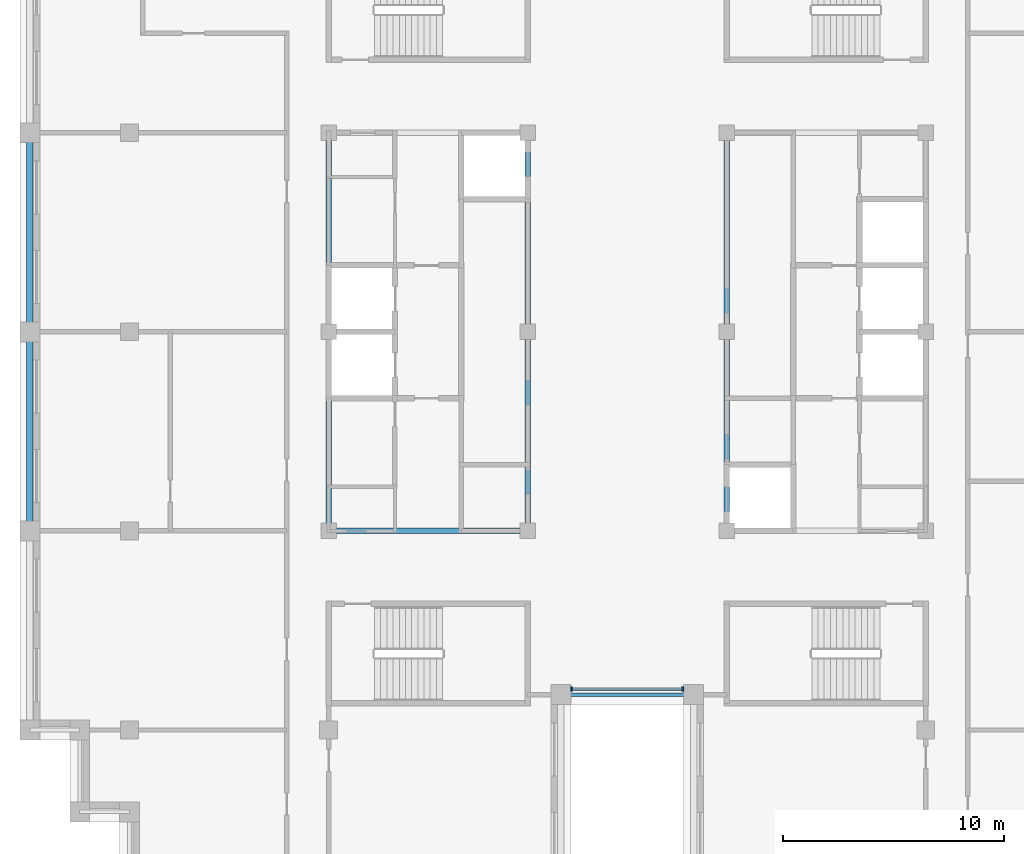
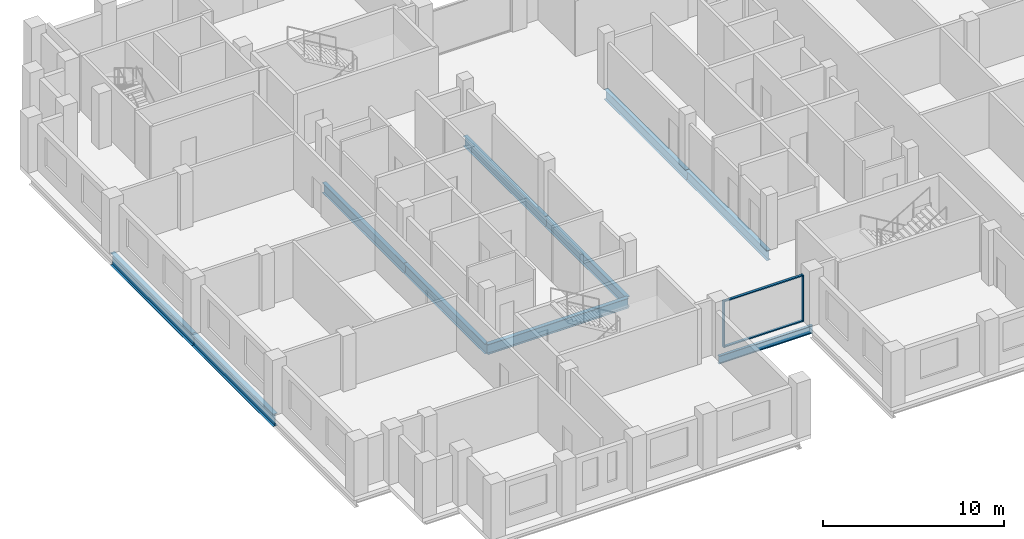
# One storey, part 2 of 13: 10 beams, 4 members, 1 element without a shape of its own.
"""IFC4 building model written with IfcOpenShell, lengths in metres."""

from ifc_helpers import new_model, si_unit, direction, frame, origin, origin_2d, place, context, subcontext, project, spatial, rectangle, i_section, extrude, material, layer, layer_set, material_profile, profile_set, type_object, element, aggregate, save


model = new_model("IFC4")

# Units and contexts
model_context = context("Model", 3, precision=1e-05, world=origin(), true_north=direction((0.0, 1.0)))
body_context = subcontext(model_context, "Body", "Model", "MODEL_VIEW")
ifc_project = project(units=[si_unit("LENGTHUNIT", "METRE"), si_unit("AREAUNIT", "SQUARE_METRE"), si_unit("VOLUMEUNIT", "CUBIC_METRE"), si_unit("PLANEANGLEUNIT", "RADIAN"), si_unit("MASSUNIT", "GRAM", prefix="KILO")], contexts=[model_context])

# Site, building, storey
site_placement = place(None, origin())
site = spatial("IfcSite", under=ifc_project, at=site_placement, CompositionType="ELEMENT")
building_placement = place(site_placement, origin())
building = spatial("IfcBuilding", under=site, at=building_placement, Name="Corbelhall Arena Tower", CompositionType="ELEMENT")
storey_placement = place(building_placement, frame((0.0, 0.0, 330.0)))
storey = spatial("IfcBuildingStorey", under=building, at=storey_placement, Name="L72", CompositionType="ELEMENT", Elevation=330.0)

# Curtain wall, members
ifc_material_1 = material(Name="Aluminium black anodised", Category="aluminium")
ifc_layer = layer(ifc_material_1, 0.199951171875)
ifc_layer_set = layer_set([ifc_layer], Name="EV-CW1 Slot back wall")
curtain_wall_type = type_object("IfcCurtainWallType", Name="EV-CW1 Slot back wall", PredefinedType="NOTDEFINED", material=ifc_layer_set)
curtain_wall_placement = place(storey_placement, origin())
curtain_wall = element("IfcCurtainWall", 1, at=curtain_wall_placement, inside=storey, type_object=curtain_wall_type, Name="Curtain wall CW1", PredefinedType="NOTDEFINED")
ifc_material_profile_1 = material_profile(ifc_material_1, rectangle(XDim=0.199951171875, YDim=0.074951171875, at=origin_2d()))
ifc_profile_set_1 = profile_set([ifc_material_profile_1], Name="Aluminium black anodised")
member_type_1 = type_object("IfcMemberType", Name="EV-CW1-MULLION", PredefinedType="MULLION", material=ifc_profile_set_1)
member_1_placement = place(storey_placement, frame((-2.512451171875, -16.14990234375, 0.0), z_axis=(0.0, 0.0, 1.0), x_axis=(0.0, 1.0, 0.0)))
member_1 = element("IfcMember", 2, at=member_1_placement, type_object=member_type_1, Name="CW1 mullion 1", PredefinedType="MULLION", context=body_context, shape_type="SweptSolid", body=[
    extrude(rectangle(XDim=0.199951171875, YDim=0.074951171875, at=origin_2d()), origin(), (0.0, 0.0, 1.0), 3.139892578125),
])
member_2_placement = place(storey_placement, frame((2.512451171875, -16.14990234375, 0.0), z_axis=(0.0, 0.0, 1.0), x_axis=(0.0, 1.0, 0.0)))
member_2 = element("IfcMember", 3, at=member_2_placement, type_object=member_type_1, Name="CW1 mullion 2", PredefinedType="MULLION", context=body_context, shape_type="SweptSolid", body=[
    extrude(rectangle(XDim=0.199951171875, YDim=0.074951171875, at=origin_2d()), origin(), (0.0, 0.0, 1.0), 3.139892578125),
])
ifc_material_profile_2 = material_profile(ifc_material_1, rectangle(XDim=0.14990234375, YDim=0.074951171875, at=origin_2d()))
ifc_profile_set_2 = profile_set([ifc_material_profile_2], Name="Aluminium black anodised")
member_type_2 = type_object("IfcMemberType", Name="EV-CW1-TRANSOM", PredefinedType="USERDEFINED", material=ifc_profile_set_2)
member_3_placement = place(storey_placement, frame((-2.47509765625, -16.14990234375, 0.03759765625), z_axis=(1.0, 0.0, 0.0), x_axis=(0.0, 1.0, 0.0)))
member_3 = element("IfcMember", 4, at=member_3_placement, type_object=member_type_2, Name="CW1 transom 1.1", ObjectType="transom", PredefinedType="USERDEFINED", context=body_context, shape_type="SweptSolid", body=[
    extrude(rectangle(XDim=0.14990234375, YDim=0.074951171875, at=origin_2d()), origin(), (0.0, 0.0, 1.0), 4.9501953125),
])
member_4_placement = place(storey_placement, frame((-2.47509765625, -16.14990234375, 3.1025390625), z_axis=(1.0, 0.0, 0.0), x_axis=(0.0, 1.0, 0.0)))
member_4 = element("IfcMember", 5, at=member_4_placement, type_object=member_type_2, Name="CW1 transom 1.2", ObjectType="transom", PredefinedType="USERDEFINED", context=body_context, shape_type="SweptSolid", body=[
    extrude(rectangle(XDim=0.14990234375, YDim=0.074951171875, at=origin_2d()), origin(), (0.0, 0.0, 1.0), 4.9501953125),
])
aggregate(curtain_wall, [member_1, member_2, member_3, member_4])

# Beams
ifc_material_2 = material(Name="Steel ASTM A992 Gr50", Category="steel")
ifc_material_profile_3 = material_profile(ifc_material_2, i_section(OverallWidth=0.25390625, OverallDepth=0.67822265625, WebThickness=0.01171875, FlangeThickness=0.016357421875, at=origin_2d()))
ifc_profile_set_3 = profile_set([ifc_material_profile_3], Name="Steel ASTM A992 Gr50")
beam_type_1 = type_object("IfcBeamType", Name="ST-BEAM-W27x84", PredefinedType="BEAM", material=ifc_profile_set_3)
for number, where, z_axis, x_axis, name in (
    (6, (-13.5, -9.0, -0.59912109375), (0.0, 1.0, 0.0), (-1.0, 0.0, 0.0), "Beam CEW 1"),
    (7, (-13.5, 0.0, -0.59912109375), (0.0, 1.0, 0.0), (-1.0, 0.0, 0.0), "Beam CEW 2"),
    (8, (-4.5, -9.0, -0.59912109375), (0.0, 1.0, 0.0), (-1.0, 0.0, 0.0), "Beam CEW 3"),
    (9, (-4.5, 0.0, -0.59912109375), (0.0, 1.0, 0.0), (-1.0, 0.0, 0.0), "Beam CEW 4"),
    (10, (-13.5, -9.0, -0.59912109375), (1.0, 0.0, 0.0), (0.0, 1.0, 0.0), "Beam CEW 5"),
    (11, (4.5, -9.0, -0.59912109375), (0.0, 1.0, 0.0), (-1.0, 0.0, 0.0), "Beam CEE 7"),
    (12, (4.5, 0.0, -0.59912109375), (0.0, 1.0, 0.0), (-1.0, 0.0, 0.0), "Beam CEE 8"),
):
    element("IfcBeam", number, at=place(storey_placement, frame(where, z_axis=z_axis, x_axis=x_axis)), inside=storey, type_object=beam_type_1, Name=name, PredefinedType="BEAM", context=body_context, shape_type="SweptSolid", body=[
        extrude(i_section(OverallWidth=0.25390625, OverallDepth=0.67822265625, WebThickness=0.01171875, FlangeThickness=0.016357421875, at=origin_2d()), origin(), (0.0, 0.0, 1.0), 9.0),
    ])
ifc_material_profile_4 = material_profile(ifc_material_2, i_section(OverallWidth=0.16650390625, OverallDepth=0.535888671875, WebThickness=0.01025390625, FlangeThickness=0.0166015625, at=origin_2d()))
ifc_profile_set_4 = profile_set([ifc_material_profile_4], Name="Steel ASTM A992 Gr50")
beam_type_2 = type_object("IfcBeamType", Name="ST-SPANDREL-W21x57", PredefinedType="SPANDREL", material=ifc_profile_set_4)
beam_placement = place(storey_placement, frame((3.0, -16.39990234375, -0.528076171875), z_axis=(-1.0, 0.0, 0.0), x_axis=(0.0, -1.0, 0.0)))
element("IfcBeam", 13, at=beam_placement, inside=storey, type_object=beam_type_2, Name="Beam SP 33", PredefinedType="SPANDREL", context=body_context, shape_type="SweptSolid", body=[
    extrude(i_section(OverallWidth=0.16650390625, OverallDepth=0.535888671875, WebThickness=0.01025390625, FlangeThickness=0.0166015625, at=origin_2d()), origin(), (0.0, 0.0, 1.0), 6.0),
])
ifc_material_profile_5 = material_profile(ifc_material_2, i_section(OverallWidth=0.2919921875, OverallDepth=0.845703125, WebThickness=0.015380859375, FlangeThickness=0.0244140625, at=origin_2d()))
ifc_profile_set_5 = profile_set([ifc_material_profile_5], Name="Steel ASTM A992 Gr50")
beam_type_3 = type_object("IfcBeamType", Name="ST-SPANDREL-W33x141", PredefinedType="SPANDREL", material=ifc_profile_set_5)
for number, where, z_axis, x_axis, name in (
    (14, (-27.0, 0.0, -0.682861328125), (0.0, 1.0, 0.0), (-1.0, 0.0, 0.0), "Beam SP 26"),
    (15, (-27.0, -9.0, -0.682861328125), (0.0, 1.0, 0.0), (-1.0, 0.0, 0.0), "Beam SP 29"),
):
    element("IfcBeam", number, at=place(storey_placement, frame(where, z_axis=z_axis, x_axis=x_axis)), inside=storey, type_object=beam_type_3, Name=name, PredefinedType="SPANDREL", context=body_context, shape_type="SweptSolid", body=[
        extrude(i_section(OverallWidth=0.2919921875, OverallDepth=0.845703125, WebThickness=0.015380859375, FlangeThickness=0.0244140625, at=origin_2d()), origin(), (0.0, 0.0, 1.0), 9.0),
    ])

save(model, "model.ifc")
